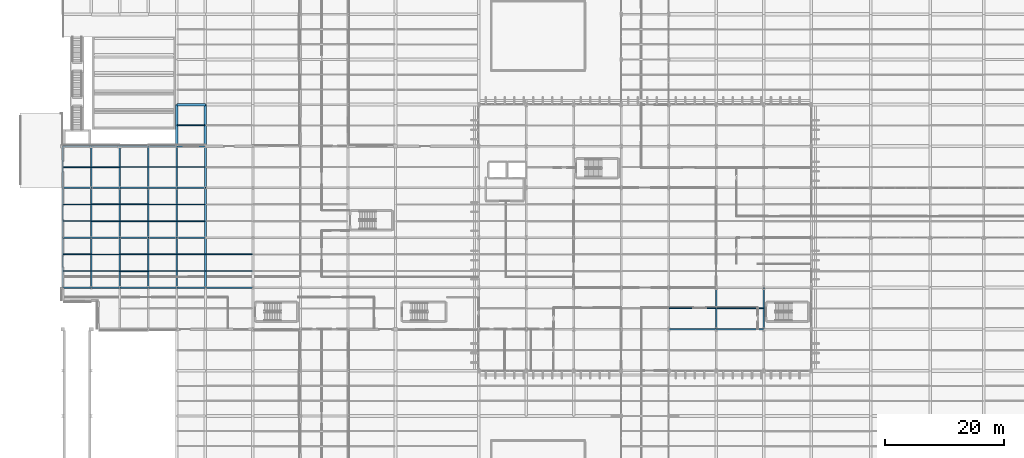
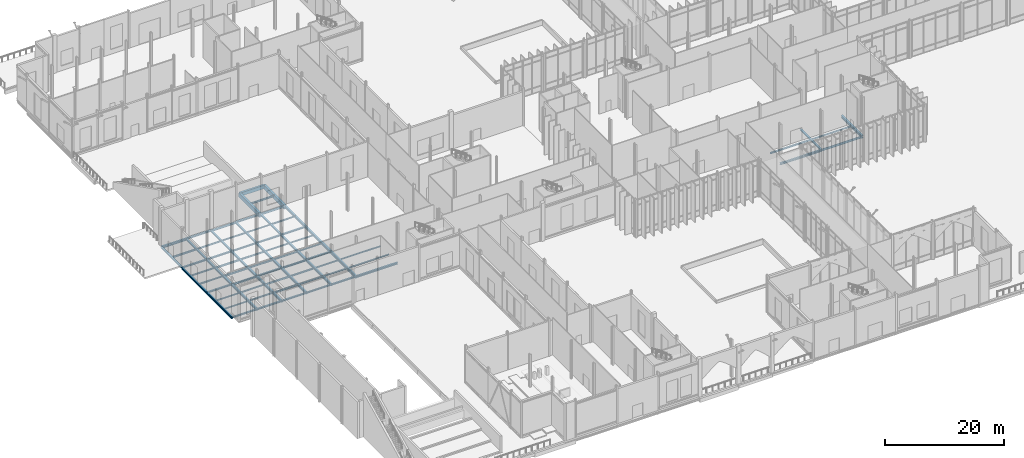
# One storey, part 54 of 176: 76 beams.
"""IFC4 building model written with IfcOpenShell, lengths in metres."""

import ifcopenshell
import ifcopenshell.guid

model = None  # the IFC model being written
_history = None  # IfcOwnerHistory: only IFC2X3 demands one
_inside = {}  # id of a spatial element -> (the spatial element, [elements in it])
_under = {}  # id of a project, library or spatial element -> (it, [spatial elements below it])
_declared = {}  # id of a project -> (the project, [libraries it declares])
_typed = {}  # id of a type object -> (the type object, [elements of that type])
_made_of = {}  # id of a material, layer set ... -> (it, [elements and type objects made of it])


def new_model(schema):
    """Start an empty IFC model of exactly this schema.

    Asked for "IFC4X3", IfcOpenShell would pick the latest addendum, in which some entities
    have other attributes; the version numbers below select the first issue.
    IFC2X3 requires an IfcOwnerHistory on every rooted entity: one is made here for all.
    """
    global model, _history
    if schema == "IFC4X3":
        model = ifcopenshell.file(schema_version=(4, 3, 0, 0))
    else:
        model = ifcopenshell.file(schema=schema)
    _inside.clear()
    _under.clear()
    _declared.clear()
    _typed.clear()
    _made_of.clear()
    _history = None
    if model.schema == "IFC2X3":
        org = make("IfcOrganization", Name="unknown")
        user = make(
            "IfcPersonAndOrganization",
            ThePerson=make("IfcPerson", FamilyName="unknown"),
            TheOrganization=org,
        )
        app = make(
            "IfcApplication",
            ApplicationDeveloper=org,
            Version="unknown",
            ApplicationFullName="unknown",
            ApplicationIdentifier="unknown",
        )
        _history = make(
            "IfcOwnerHistory",
            OwningUser=user,
            OwningApplication=app,
            ChangeAction="ADDED",
            CreationDate=0,
        )
    return model


def make(cls, **values):
    """One entity of the class cls with the attributes given. An attribute that is None is left unset."""
    return model.create_entity(
        cls, **{name: value for name, value in values.items() if value is not None}
    )


def rooted(cls, **values):
    """An entity with a GlobalId (a new one), such as an element, a storey or a relation."""
    return make(cls, GlobalId=ifcopenshell.guid.new(), OwnerHistory=_history, **values)


def si_unit(unit_type, name, prefix=None):
    """IfcSIUnit, for example si_unit("LENGTHUNIT", "METRE", prefix="MILLI")."""
    return make("IfcSIUnit", UnitType=unit_type, Prefix=prefix, Name=name)


def assignment(units):
    """IfcUnitAssignment: the units of a project."""
    return None if units is None else make("IfcUnitAssignment", Units=units)


def point(xyz):
    """IfcCartesianPoint."""
    return None if xyz is None else make("IfcCartesianPoint", Coordinates=xyz)


def direction(xyz):
    """IfcDirection."""
    return None if xyz is None else make("IfcDirection", DirectionRatios=xyz)


def frame(location, z_axis=None, x_axis=None):
    """IfcAxis2Placement3D, a coordinate frame: its origin and axes. An axis left out is left unset."""
    return make(
        "IfcAxis2Placement3D",
        Location=point(location),
        Axis=direction(z_axis),
        RefDirection=direction(x_axis),
    )


def frame_2d(location, x_axis=None):
    """IfcAxis2Placement2D, a coordinate frame in the plane: its origin and x axis."""
    return make(
        "IfcAxis2Placement2D", Location=point(location), RefDirection=direction(x_axis)
    )


def origin():
    """The frame at (0, 0, 0) with its axes left unset."""
    return frame((0.0, 0.0, 0.0))


def origin_2d():
    """The frame at (0, 0) in the plane with its x axis left unset."""
    return frame_2d((0.0, 0.0))


def place(relative_to, where):
    """IfcLocalPlacement: puts the frame where relative to a parent placement (None: the world)."""
    return make(
        "IfcLocalPlacement", PlacementRelTo=relative_to, RelativePlacement=where
    )


def context(
    kind, dimensions, precision=None, world=None, true_north=None, identifier=None
):
    """IfcGeometricRepresentationContext, for example the 3D "Model" context."""
    return make(
        "IfcGeometricRepresentationContext",
        ContextIdentifier=identifier,
        ContextType=kind,
        CoordinateSpaceDimension=dimensions,
        Precision=precision,
        WorldCoordinateSystem=world,
        TrueNorth=true_north,
    )


def subcontext(parent, identifier, kind, view, scale=None):
    """IfcGeometricRepresentationSubContext, for example "Body" below "Model"."""
    return make(
        "IfcGeometricRepresentationSubContext",
        ContextIdentifier=identifier,
        ContextType=kind,
        ParentContext=parent,
        TargetScale=scale,
        TargetView=view,
    )


def project(units=None, contexts=None):
    """IfcProject with its units and contexts."""
    return rooted(
        "IfcProject",
        Name="project",
        RepresentationContexts=contexts,
        UnitsInContext=assignment(units),
    )


def spatial(cls, under=None, at=None, **own):
    """A site, building, storey or space (cls), placed at a placement, below another one or the project."""
    s = rooted(cls, ObjectPlacement=at, **own)
    if under is not None:
        _under.setdefault(under.id(), (under, []))[1].append(s)
    return s


def profile(cls, at=None, kind="AREA", **sizes):
    """A parametric profile (cls). Its sizes go by their IFC names, for example OverallWidth=200.0."""
    return make(cls, ProfileType=kind, Position=at, **sizes)


def rectangle(**sizes):
    """IfcRectangleProfileDef."""
    return profile("IfcRectangleProfileDef", **sizes)


def i_section(**sizes):
    """IfcIShapeProfileDef."""
    return profile("IfcIShapeProfileDef", **sizes)


def extrude(swept, where, along, depth):
    """IfcExtrudedAreaSolid: the profile swept, set in the frame where, extruded along a direction by depth."""
    return make(
        "IfcExtrudedAreaSolid",
        SweptArea=swept,
        Position=where,
        ExtrudedDirection=direction(along),
        Depth=depth,
    )


def shape(context_of_items, identifier, shape_type, items):
    """IfcShapeRepresentation: the items that make up one representation, for example the "Body"."""
    return make(
        "IfcShapeRepresentation",
        ContextOfItems=context_of_items,
        RepresentationIdentifier=identifier,
        RepresentationType=shape_type,
        Items=items,
    )


def material(Name=None, Category=None):
    """IfcMaterial."""
    return make("IfcMaterial", Name=Name, Category=Category)


def material_profile(
    of_material, cross_section, Name=None, Category=None, Priority=None
):
    """IfcMaterialProfile: a cross section and its material."""
    return make(
        "IfcMaterialProfile",
        Name=Name,
        Material=of_material,
        Profile=cross_section,
        Priority=Priority,
        Category=Category,
    )


def profile_set(profiles, Name=None, composite=None):
    """IfcMaterialProfileSet."""
    return make(
        "IfcMaterialProfileSet",
        Name=Name,
        MaterialProfiles=profiles,
        CompositeProfile=composite,
    )


def made_of(thing, what):
    """Note that an element or type object is made of a material, layer set ...; save() writes the relation."""
    if what is not None:
        _made_of.setdefault(what.id(), (what, []))[1].append(thing)
    return thing


def type_object(cls, material=None, **own):
    """A type object (cls), such as IfcWallType, which elements share."""
    return made_of(rooted(cls, **own), material)


def element(
    cls,
    number,
    at=None,
    inside=None,
    cuts=None,
    type_object=None,
    material=None,
    context=None,
    identifier="Body",
    shape_type=None,
    held_by="IfcProductDefinitionShape",
    body=None,
    shapes=None,
    **own,
):
    """One element of the class cls, such as IfcWall. Its Tag is "e" and its number.

    at: its placement. inside: the storey or other place that contains it. cuts: it is an
    opening in that element (IfcRelVoidsElement). A single representation is given by context,
    identifier, shape_type and body (its items); several are given by shapes. held_by: the class
    of the entity that holds the representations. save() writes the other relations.
    """
    e = rooted(cls, Tag="e%d" % number, ObjectPlacement=at, **own)
    if body is not None:
        shapes = [shape(context, identifier, shape_type, body)]
    if shapes is not None:
        e.Representation = make(held_by, Representations=shapes)
    if inside is not None:
        _inside.setdefault(inside.id(), (inside, []))[1].append(e)
    if cuts is not None:
        rooted(
            "IfcRelVoidsElement", RelatingBuildingElement=cuts, RelatedOpeningElement=e
        )
    if type_object is not None:
        _typed.setdefault(type_object.id(), (type_object, []))[1].append(e)
    return made_of(e, material)


def aggregate(whole, parts):
    """IfcRelAggregates: a whole, such as a stair, and the parts it consists of."""
    return rooted("IfcRelAggregates", RelatingObject=whole, RelatedObjects=parts)


def save(model, path):
    """Write the relations noted so far, then the file.

    IfcRelAggregates (storeys below a building ...), IfcRelContainedInSpatialStructure (elements
    in a storey), IfcRelDefinesByType, IfcRelAssociatesMaterial and IfcRelDeclares: one each for
    every whole, place, type object, material and project.
    """
    for whole, parts in _under.values():
        aggregate(whole, parts)
    for where, things in _inside.values():
        rooted(
            "IfcRelContainedInSpatialStructure",
            RelatedElements=things,
            RelatingStructure=where,
        )
    for kind, things in _typed.values():
        rooted("IfcRelDefinesByType", RelatedObjects=things, RelatingType=kind)
    for what, things in _made_of.values():
        rooted("IfcRelAssociatesMaterial", RelatedObjects=things, RelatingMaterial=what)
    for by, libraries in _declared.values():
        rooted("IfcRelDeclares", RelatingContext=by, RelatedDefinitions=libraries)
    model.write(path)


model = new_model("IFC4")

# Units and contexts
model_context = context("Model", 3, precision=1e-05, world=origin(), true_north=direction((0.0, 1.0)))
body_context = subcontext(model_context, "Body", "Model", "MODEL_VIEW")
ifc_project = project(units=[si_unit("LENGTHUNIT", "METRE"), si_unit("AREAUNIT", "SQUARE_METRE"), si_unit("VOLUMEUNIT", "CUBIC_METRE"), si_unit("PLANEANGLEUNIT", "RADIAN"), si_unit("MASSUNIT", "GRAM", prefix="KILO")], contexts=[model_context])

# Site, building, storey
site_placement = place(None, origin())
site = spatial("IfcSite", under=ifc_project, at=site_placement, CompositionType="ELEMENT")
building_placement = place(site_placement, origin())
building = spatial("IfcBuilding", under=site, at=building_placement, Name="Vekula Escarpment Museum", CompositionType="ELEMENT")
storey_placement = place(building_placement, origin())
storey = spatial("IfcBuildingStorey", under=building, at=storey_placement, Name="L01", CompositionType="ELEMENT", Elevation=0.0)

# Beams
ifc_material_1 = material(Name="Steel S355", Category="steel")
ifc_material_profile_1 = material_profile(ifc_material_1, i_section(OverallWidth=0.280029296875, OverallDepth=0.280029296875, WebThickness=0.010498046875, FlangeThickness=0.01806640625, FilletRadius=0.02392578125, at=origin_2d()), Name="HEB 280")
ifc_profile_set_1 = profile_set([ifc_material_profile_1], Name="Steel S355")
beam_type_1 = type_object("IfcBeamType", Name="BM-GIRD-HEB280", PredefinedType="BEAM", material=ifc_profile_set_1)
beam_1_placement = place(storey_placement, frame((0.0, 68.0, -0.43994140625), z_axis=(1.0, 0.0, 0.0), x_axis=(0.0, 1.0, 0.0)))
element("IfcBeam", 1, at=beam_1_placement, inside=storey, type_object=beam_type_1, Name="Beam X L01 0182", PredefinedType="BEAM", context=body_context, shape_type="SweptSolid", body=[
    extrude(i_section(OverallWidth=0.280029296875, OverallDepth=0.280029296875, WebThickness=0.010498046875, FlangeThickness=0.01806640625, FilletRadius=0.02392578125, at=origin_2d()), origin(), (0.0, 0.0, 1.0), 4.800048828125),
])
ifc_material_2 = material(Name="Steel S355", Category="steel")
ifc_material_profile_2 = material_profile(ifc_material_2, i_section(OverallWidth=0.300048828125, OverallDepth=0.300048828125, WebThickness=0.010986328125, FlangeThickness=0.01904296875, FilletRadius=0.027099609375, at=origin_2d()), Name="HEB 300")
ifc_profile_set_2 = profile_set([ifc_material_profile_2], Name="Steel S355")
beam_type_2 = type_object("IfcBeamType", Name="BM-GIRD-HEB300", PredefinedType="BEAM", material=ifc_profile_set_2)
beam_2_placement = place(storey_placement, frame((9.60009765625, 68.0, -0.449951171875), z_axis=(1.0, 0.0, 0.0), x_axis=(0.0, 1.0, 0.0)))
element("IfcBeam", 2, at=beam_2_placement, inside=storey, type_object=beam_type_2, Name="Beam X L01 0184", PredefinedType="BEAM", context=body_context, shape_type="SweptSolid", body=[
    extrude(i_section(OverallWidth=0.300048828125, OverallDepth=0.300048828125, WebThickness=0.010986328125, FlangeThickness=0.01904296875, FilletRadius=0.027099609375, at=origin_2d()), origin(), (0.0, 0.0, 1.0), 4.7998046875),
])
for number, where, z_axis, x_axis, name in (
    (3, (19.199951171875, 68.0, -0.449951171875), (1.0, 0.0, 0.0), (0.0, 1.0, 0.0), "Beam X L01 0186"),
    (4, (4.800048828125, 83.39990234375, -0.449951171875), (1.0, 0.0, 0.0), (0.0, 1.0, 0.0), "Beam X L01 0229"),
    (5, (14.39990234375, 83.39990234375, -0.449951171875), (1.0, 0.0, 0.0), (0.0, 1.0, 0.0), "Beam X L01 0231"),
):
    element("IfcBeam", number, at=place(storey_placement, frame(where, z_axis=z_axis, x_axis=x_axis)), inside=storey, type_object=beam_type_2, Name=name, PredefinedType="BEAM", context=body_context, shape_type="SweptSolid", body=[
        extrude(i_section(OverallWidth=0.300048828125, OverallDepth=0.300048828125, WebThickness=0.010986328125, FlangeThickness=0.01904296875, FilletRadius=0.027099609375, at=origin_2d()), origin(), (0.0, 0.0, 1.0), 4.800048828125),
    ])
ifc_material_3 = material(Name="Steel S355", Category="steel")
ifc_material_profile_3 = material_profile(ifc_material_3, i_section(OverallWidth=0.300048828125, OverallDepth=0.39990234375, WebThickness=0.013427734375, FlangeThickness=0.02392578125, FilletRadius=0.027099609375, at=origin_2d()), Name="HEB 400")
ifc_profile_set_3 = profile_set([ifc_material_profile_3], Name="Steel S355")
beam_type_3 = type_object("IfcBeamType", Name="BM-GIRD-HEB400", PredefinedType="BEAM", material=ifc_profile_set_3)
beam_3_placement = place(storey_placement, frame((102.0, 52.60009765625, -0.5), z_axis=(1.0, 0.0, 0.0), x_axis=(0.0, 1.0, 0.0)))
element("IfcBeam", 6, at=beam_3_placement, inside=storey, type_object=beam_type_3, Name="Beam X L01 0150", PredefinedType="BEAM", context=body_context, shape_type="SweptSolid", body=[
    extrude(i_section(OverallWidth=0.300048828125, OverallDepth=0.39990234375, WebThickness=0.013427734375, FlangeThickness=0.02392578125, FilletRadius=0.027099609375, at=origin_2d()), origin(), (0.0, 0.0, 1.0), 8.0),
])
ifc_material_4 = material(Name="Steel S355", Category="steel")
ifc_material_profile_4 = material_profile(ifc_material_4, i_section(OverallWidth=0.300048828125, OverallDepth=0.449951171875, WebThickness=0.013916015625, FlangeThickness=0.02587890625, FilletRadius=0.027099609375, at=origin_2d()), Name="HEB 450")
ifc_profile_set_4 = profile_set([ifc_material_profile_4], Name="Steel S355")
beam_type_4 = type_object("IfcBeamType", Name="BM-GIRD-HEB450", PredefinedType="BEAM", material=ifc_profile_set_4)
beam_4_placement = place(storey_placement, frame((0.0, 83.39990234375, -0.52490234375), z_axis=(1.0, 0.0, 0.0), x_axis=(0.0, 1.0, 0.0)))
element("IfcBeam", 7, at=beam_4_placement, inside=storey, type_object=beam_type_4, Name="Beam X L01 0228", PredefinedType="BEAM", context=body_context, shape_type="SweptSolid", body=[
    extrude(i_section(OverallWidth=0.300048828125, OverallDepth=0.449951171875, WebThickness=0.013916015625, FlangeThickness=0.02587890625, FilletRadius=0.027099609375, at=origin_2d()), origin(), (0.0, 0.0, 1.0), 4.800048828125),
])
ifc_material_5 = material(Name="Steel S355", Category="steel")
ifc_material_profile_5 = material_profile(ifc_material_5, i_section(OverallWidth=0.300048828125, OverallDepth=0.550048828125, WebThickness=0.014892578125, FlangeThickness=0.029052734375, FilletRadius=0.027099609375, at=origin_2d()), Name="HEB 550")
ifc_profile_set_5 = profile_set([ifc_material_profile_5], Name="Steel S355")
beam_type_5 = type_object("IfcBeamType", Name="BM-GIRD-HEB550", PredefinedType="BEAM", material=ifc_profile_set_5)
for number, where, z_axis, x_axis, name in (
    (8, (24.0, 59.60009765625, -0.574951171875), (0.0, 1.0, 0.0), (-1.0, 0.0, 0.0), "Beam Y L01 0451"),
    (9, (24.0, 68.0, -0.574951171875), (0.0, 1.0, 0.0), (-1.0, 0.0, 0.0), "Beam Y L01 0452"),
):
    element("IfcBeam", number, at=place(storey_placement, frame(where, z_axis=z_axis, x_axis=x_axis)), inside=storey, type_object=beam_type_5, Name=name, PredefinedType="BEAM", context=body_context, shape_type="SweptSolid", body=[
        extrude(i_section(OverallWidth=0.300048828125, OverallDepth=0.550048828125, WebThickness=0.014892578125, FlangeThickness=0.029052734375, FilletRadius=0.027099609375, at=origin_2d()), origin(), (0.0, 0.0, 1.0), 8.39990234375),
    ])
for number, where, z_axis, x_axis, name in (
    (10, (24.0, 76.39990234375, -0.574951171875), (0.0, 1.0, 0.0), (-1.0, 0.0, 0.0), "Beam Y L01 0453"),
    (11, (118.0, 52.60009765625, -0.574951171875), (0.0, 1.0, 0.0), (-1.0, 0.0, 0.0), "Beam Y L01 0637"),
):
    element("IfcBeam", number, at=place(storey_placement, frame(where, z_axis=z_axis, x_axis=x_axis)), inside=storey, type_object=beam_type_5, Name=name, PredefinedType="BEAM", context=body_context, shape_type="SweptSolid", body=[
        extrude(i_section(OverallWidth=0.300048828125, OverallDepth=0.550048828125, WebThickness=0.014892578125, FlangeThickness=0.029052734375, FilletRadius=0.027099609375, at=origin_2d()), origin(), (0.0, 0.0, 1.0), 7.0),
    ])
ifc_material_6 = material(Name="Steel S355", Category="steel")
ifc_material_profile_6 = material_profile(ifc_material_6, i_section(OverallWidth=0.179931640625, OverallDepth=0.39990234375, WebThickness=0.008544921875, FlangeThickness=0.013427734375, FilletRadius=0.02099609375, at=origin_2d()), Name="IPE 400")
ifc_profile_set_6 = profile_set([ifc_material_profile_6], Name="Steel S355")
beam_type_6 = type_object("IfcBeamType", Name="BM-GIRD-IPE400", PredefinedType="BEAM", material=ifc_profile_set_6)
beam_5_placement = place(storey_placement, frame((110.0, 52.60009765625, -0.5), z_axis=(1.0, 0.0, 0.0), x_axis=(0.0, 1.0, 0.0)))
element("IfcBeam", 12, at=beam_5_placement, inside=storey, type_object=beam_type_6, Name="Beam X L01 0151", PredefinedType="BEAM", context=body_context, shape_type="SweptSolid", body=[
    extrude(i_section(OverallWidth=0.179931640625, OverallDepth=0.39990234375, WebThickness=0.008544921875, FlangeThickness=0.013427734375, FilletRadius=0.02099609375, at=origin_2d()), origin(), (0.0, 0.0, 1.0), 8.0),
])
for number, where, z_axis, x_axis, name in (
    (13, (4.800048828125, 68.0, -0.5), (1.0, 0.0, 0.0), (0.0, 1.0, 0.0), "Beam X L01 0183"),
    (14, (14.39990234375, 68.0, -0.5), (1.0, 0.0, 0.0), (0.0, 1.0, 0.0), "Beam X L01 0185"),
):
    element("IfcBeam", number, at=place(storey_placement, frame(where, z_axis=z_axis, x_axis=x_axis)), inside=storey, type_object=beam_type_6, Name=name, PredefinedType="BEAM", context=body_context, shape_type="SweptSolid", body=[
        extrude(i_section(OverallWidth=0.179931640625, OverallDepth=0.39990234375, WebThickness=0.008544921875, FlangeThickness=0.013427734375, FilletRadius=0.02099609375, at=origin_2d()), origin(), (0.0, 0.0, 1.0), 4.800048828125),
    ])
beam_6_placement = place(storey_placement, frame((9.60009765625, 83.39990234375, -0.5), z_axis=(1.0, 0.0, 0.0), x_axis=(0.0, 1.0, 0.0)))
element("IfcBeam", 15, at=beam_6_placement, inside=storey, type_object=beam_type_6, Name="Beam X L01 0230", PredefinedType="BEAM", context=body_context, shape_type="SweptSolid", body=[
    extrude(i_section(OverallWidth=0.179931640625, OverallDepth=0.39990234375, WebThickness=0.008544921875, FlangeThickness=0.013427734375, FilletRadius=0.02099609375, at=origin_2d()), origin(), (0.0, 0.0, 1.0), 4.7998046875),
])
beam_7_placement = place(storey_placement, frame((19.199951171875, 83.39990234375, -0.5), z_axis=(1.0, 0.0, 0.0), x_axis=(0.0, 1.0, 0.0)))
element("IfcBeam", 16, at=beam_7_placement, inside=storey, type_object=beam_type_6, Name="Beam X L01 0232", PredefinedType="BEAM", context=body_context, shape_type="SweptSolid", body=[
    extrude(i_section(OverallWidth=0.179931640625, OverallDepth=0.39990234375, WebThickness=0.008544921875, FlangeThickness=0.013427734375, FilletRadius=0.02099609375, at=origin_2d()), origin(), (0.0, 0.0, 1.0), 4.800048828125),
])
ifc_material_7 = material(Name="Steel S355", Category="steel")
ifc_material_profile_7 = material_profile(ifc_material_7, i_section(OverallWidth=0.1201171875, OverallDepth=0.239990234375, WebThickness=0.006103515625, FlangeThickness=0.009765625, FilletRadius=0.014892578125, at=origin_2d()), Name="IPE 240")
ifc_profile_set_7 = profile_set([ifc_material_profile_7], Name="Steel S355")
beam_type_7 = type_object("IfcBeamType", Name="BM-JST-IPE240", PredefinedType="JOIST", material=ifc_profile_set_7)
for number, where, z_axis, x_axis, name in (
    (17, (0.090087890625, 70.800048828125, -0.419921875), (1.0, 0.0, 0.0), (0.0, 1.0, 0.0), "Secondary Joist L01 0003"),
    (18, (0.090087890625, 73.60009765625, -0.419921875), (1.0, 0.0, 0.0), (0.0, 1.0, 0.0), "Secondary Joist L01 0004"),
):
    element("IfcBeam", number, at=place(storey_placement, frame(where, z_axis=z_axis, x_axis=x_axis)), inside=storey, type_object=beam_type_7, Name=name, PredefinedType="JOIST", context=body_context, shape_type="SweptSolid", body=[
        extrude(i_section(OverallWidth=0.1201171875, OverallDepth=0.239990234375, WebThickness=0.006103515625, FlangeThickness=0.009765625, FilletRadius=0.014892578125, at=origin_2d()), origin(), (0.0, 0.0, 1.0), 4.619873046875),
    ])
for number, where, z_axis, x_axis, name in (
    (19, (4.889892578125, 62.39990234375, -0.419921875), (1.0, 0.0, 0.0), (0.0, 1.0, 0.0), "Secondary Joist L01 0012"),
    (20, (4.889892578125, 65.199951171875, -0.419921875), (1.0, 0.0, 0.0), (0.0, 1.0, 0.0), "Secondary Joist L01 0013"),
):
    element("IfcBeam", number, at=place(storey_placement, frame(where, z_axis=z_axis, x_axis=x_axis)), inside=storey, type_object=beam_type_7, Name=name, PredefinedType="JOIST", context=body_context, shape_type="SweptSolid", body=[
        extrude(i_section(OverallWidth=0.1201171875, OverallDepth=0.239990234375, WebThickness=0.006103515625, FlangeThickness=0.009765625, FilletRadius=0.014892578125, at=origin_2d()), origin(), (0.0, 0.0, 1.0), 4.6201171875),
    ])
beam_8_placement = place(storey_placement, frame((19.2900390625, 79.89990234375, -0.419921875), z_axis=(1.0, 0.0, 0.0), x_axis=(0.0, 1.0, 0.0)))
element("IfcBeam", 21, at=beam_8_placement, inside=storey, type_object=beam_type_7, Name="Secondary Joist L01 0069", PredefinedType="JOIST", context=body_context, shape_type="SweptSolid", body=[
    extrude(i_section(OverallWidth=0.1201171875, OverallDepth=0.239990234375, WebThickness=0.006103515625, FlangeThickness=0.009765625, FilletRadius=0.014892578125, at=origin_2d()), origin(), (0.0, 0.0, 1.0), 4.619873046875),
])
ifc_material_8 = material(Name="Steel S355", Category="steel")
ifc_material_profile_8 = material_profile(ifc_material_8, i_section(OverallWidth=0.135009765625, OverallDepth=0.27001953125, WebThickness=0.006591796875, FlangeThickness=0.01025390625, FilletRadius=0.014892578125, at=origin_2d()), Name="IPE 270")
ifc_profile_set_8 = profile_set([ifc_material_profile_8], Name="Steel S355")
beam_type_8 = type_object("IfcBeamType", Name="BM-JST-IPE270", PredefinedType="JOIST", material=ifc_profile_set_8)
for number, where, z_axis, x_axis, name in (
    (22, (0.090087890625, 62.39990234375, -0.43505859375), (1.0, 0.0, 0.0), (0.0, 1.0, 0.0), "Secondary Joist L01 0001"),
    (23, (0.090087890625, 65.199951171875, -0.43505859375), (1.0, 0.0, 0.0), (0.0, 1.0, 0.0), "Secondary Joist L01 0002"),
):
    element("IfcBeam", number, at=place(storey_placement, frame(where, z_axis=z_axis, x_axis=x_axis)), inside=storey, type_object=beam_type_8, Name=name, PredefinedType="JOIST", context=body_context, shape_type="SweptSolid", body=[
        extrude(i_section(OverallWidth=0.135009765625, OverallDepth=0.27001953125, WebThickness=0.006591796875, FlangeThickness=0.01025390625, FilletRadius=0.014892578125, at=origin_2d()), origin(), (0.0, 0.0, 1.0), 4.619873046875),
    ])
beam_9_placement = place(storey_placement, frame((14.489990234375, 79.89990234375, -0.43505859375), z_axis=(1.0, 0.0, 0.0), x_axis=(0.0, 1.0, 0.0)))
element("IfcBeam", 24, at=beam_9_placement, inside=storey, type_object=beam_type_8, Name="Secondary Joist L01 0042", PredefinedType="JOIST", context=body_context, shape_type="SweptSolid", body=[
    extrude(i_section(OverallWidth=0.135009765625, OverallDepth=0.27001953125, WebThickness=0.006591796875, FlangeThickness=0.01025390625, FilletRadius=0.014892578125, at=origin_2d()), origin(), (0.0, 0.0, 1.0), 4.6201171875),
])
for number, where, z_axis, x_axis, name in (
    (25, (19.2900390625, 70.800048828125, -0.43505859375), (1.0, 0.0, 0.0), (0.0, 1.0, 0.0), "Secondary Joist L01 0067"),
    (26, (19.2900390625, 73.60009765625, -0.43505859375), (1.0, 0.0, 0.0), (0.0, 1.0, 0.0), "Secondary Joist L01 0068"),
):
    element("IfcBeam", number, at=place(storey_placement, frame(where, z_axis=z_axis, x_axis=x_axis)), inside=storey, type_object=beam_type_8, Name=name, PredefinedType="JOIST", context=body_context, shape_type="SweptSolid", body=[
        extrude(i_section(OverallWidth=0.135009765625, OverallDepth=0.27001953125, WebThickness=0.006591796875, FlangeThickness=0.01025390625, FilletRadius=0.014892578125, at=origin_2d()), origin(), (0.0, 0.0, 1.0), 4.619873046875),
    ])
for number, where, z_axis, x_axis, name in (
    (27, (24.090087890625, 62.39990234375, -0.43505859375), (1.0, 0.0, 0.0), (0.0, 1.0, 0.0), "Secondary Joist L01 0096"),
    (28, (24.090087890625, 65.199951171875, -0.43505859375), (1.0, 0.0, 0.0), (0.0, 1.0, 0.0), "Secondary Joist L01 0097"),
):
    element("IfcBeam", number, at=place(storey_placement, frame(where, z_axis=z_axis, x_axis=x_axis)), inside=storey, type_object=beam_type_8, Name=name, PredefinedType="JOIST", context=body_context, shape_type="SweptSolid", body=[
        extrude(i_section(OverallWidth=0.135009765625, OverallDepth=0.27001953125, WebThickness=0.006591796875, FlangeThickness=0.01025390625, FilletRadius=0.014892578125, at=origin_2d()), origin(), (0.0, 0.0, 1.0), 7.81982421875),
    ])
ifc_material_9 = material(Name="Steel S355", Category="steel")
ifc_material_profile_9 = material_profile(ifc_material_9, i_section(OverallWidth=0.14990234375, OverallDepth=0.300048828125, WebThickness=0.007080078125, FlangeThickness=0.0107421875, FilletRadius=0.014892578125, at=origin_2d()), Name="IPE 300")
ifc_profile_set_9 = profile_set([ifc_material_profile_9], Name="Steel S355")
beam_type_9 = type_object("IfcBeamType", Name="BM-JST-IPE300", PredefinedType="JOIST", material=ifc_profile_set_9)
for number, where, z_axis, x_axis, name in (
    (29, (9.68994140625, 79.89990234375, -0.449951171875), (1.0, 0.0, 0.0), (0.0, 1.0, 0.0), "Secondary Joist L01 0028"),
    (30, (14.489990234375, 70.800048828125, -0.449951171875), (1.0, 0.0, 0.0), (0.0, 1.0, 0.0), "Secondary Joist L01 0040"),
    (31, (14.489990234375, 73.60009765625, -0.449951171875), (1.0, 0.0, 0.0), (0.0, 1.0, 0.0), "Secondary Joist L01 0041"),
):
    element("IfcBeam", number, at=place(storey_placement, frame(where, z_axis=z_axis, x_axis=x_axis)), inside=storey, type_object=beam_type_9, Name=name, PredefinedType="JOIST", context=body_context, shape_type="SweptSolid", body=[
        extrude(i_section(OverallWidth=0.14990234375, OverallDepth=0.300048828125, WebThickness=0.007080078125, FlangeThickness=0.0107421875, FilletRadius=0.014892578125, at=origin_2d()), origin(), (0.0, 0.0, 1.0), 4.6201171875),
    ])
for number, where, z_axis, x_axis, name in (
    (32, (19.2900390625, 62.39990234375, -0.449951171875), (1.0, 0.0, 0.0), (0.0, 1.0, 0.0), "Secondary Joist L01 0065"),
    (33, (19.2900390625, 65.199951171875, -0.449951171875), (1.0, 0.0, 0.0), (0.0, 1.0, 0.0), "Secondary Joist L01 0066"),
):
    element("IfcBeam", number, at=place(storey_placement, frame(where, z_axis=z_axis, x_axis=x_axis)), inside=storey, type_object=beam_type_9, Name=name, PredefinedType="JOIST", context=body_context, shape_type="SweptSolid", body=[
        extrude(i_section(OverallWidth=0.14990234375, OverallDepth=0.300048828125, WebThickness=0.007080078125, FlangeThickness=0.0107421875, FilletRadius=0.014892578125, at=origin_2d()), origin(), (0.0, 0.0, 1.0), 4.619873046875),
    ])
beam_10_placement = place(storey_placement, frame((110.090087890625, 56.10009765625, -0.449951171875), z_axis=(1.0, 0.0, 0.0), x_axis=(0.0, 1.0, 0.0)))
element("IfcBeam", 34, at=beam_10_placement, inside=storey, type_object=beam_type_9, Name="Secondary Joist L01 0364", PredefinedType="JOIST", context=body_context, shape_type="SweptSolid", body=[
    extrude(i_section(OverallWidth=0.14990234375, OverallDepth=0.300048828125, WebThickness=0.007080078125, FlangeThickness=0.0107421875, FilletRadius=0.014892578125, at=origin_2d()), origin(), (0.0, 0.0, 1.0), 7.81982421875),
])
ifc_material_10 = material(Name="Steel S355", Category="steel")
ifc_material_profile_10 = material_profile(ifc_material_10, i_section(OverallWidth=0.159912109375, OverallDepth=0.330078125, WebThickness=0.007568359375, FlangeThickness=0.011474609375, FilletRadius=0.01806640625, at=origin_2d()), Name="IPE 330")
ifc_profile_set_10 = profile_set([ifc_material_profile_10], Name="Steel S355")
beam_type_10 = type_object("IfcBeamType", Name="BM-JST-IPE330", PredefinedType="JOIST", material=ifc_profile_set_10)
for number, where, z_axis, x_axis, name in (
    (35, (4.889892578125, 79.89990234375, -0.465087890625), (1.0, 0.0, 0.0), (0.0, 1.0, 0.0), "Secondary Joist L01 0016"),
    (36, (9.68994140625, 70.800048828125, -0.465087890625), (1.0, 0.0, 0.0), (0.0, 1.0, 0.0), "Secondary Joist L01 0026"),
    (37, (9.68994140625, 73.60009765625, -0.465087890625), (1.0, 0.0, 0.0), (0.0, 1.0, 0.0), "Secondary Joist L01 0027"),
    (38, (14.489990234375, 62.39990234375, -0.465087890625), (1.0, 0.0, 0.0), (0.0, 1.0, 0.0), "Secondary Joist L01 0038"),
    (39, (14.489990234375, 65.199951171875, -0.465087890625), (1.0, 0.0, 0.0), (0.0, 1.0, 0.0), "Secondary Joist L01 0039"),
):
    element("IfcBeam", number, at=place(storey_placement, frame(where, z_axis=z_axis, x_axis=x_axis)), inside=storey, type_object=beam_type_10, Name=name, PredefinedType="JOIST", context=body_context, shape_type="SweptSolid", body=[
        extrude(i_section(OverallWidth=0.159912109375, OverallDepth=0.330078125, WebThickness=0.007568359375, FlangeThickness=0.011474609375, FilletRadius=0.01806640625, at=origin_2d()), origin(), (0.0, 0.0, 1.0), 4.6201171875),
    ])
beam_11_placement = place(storey_placement, frame((102.090087890625, 56.10009765625, -0.465087890625), z_axis=(1.0, 0.0, 0.0), x_axis=(0.0, 1.0, 0.0)))
element("IfcBeam", 40, at=beam_11_placement, inside=storey, type_object=beam_type_10, Name="Secondary Joist L01 0333", PredefinedType="JOIST", context=body_context, shape_type="SweptSolid", body=[
    extrude(i_section(OverallWidth=0.159912109375, OverallDepth=0.330078125, WebThickness=0.007568359375, FlangeThickness=0.011474609375, FilletRadius=0.01806640625, at=origin_2d()), origin(), (0.0, 0.0, 1.0), 7.81982421875),
])
ifc_material_11 = material(Name="Steel S355", Category="steel")
ifc_material_profile_11 = material_profile(ifc_material_11, i_section(OverallWidth=0.169921875, OverallDepth=0.360107421875, WebThickness=0.008056640625, FlangeThickness=0.0126953125, FilletRadius=0.01806640625, at=origin_2d()), Name="IPE 360")
ifc_profile_set_11 = profile_set([ifc_material_profile_11], Name="Steel S355")
beam_type_11 = type_object("IfcBeamType", Name="BM-JST-IPE360", PredefinedType="JOIST", material=ifc_profile_set_11)
beam_12_placement = place(storey_placement, frame((0.090087890625, 79.89990234375, -0.47998046875), z_axis=(1.0, 0.0, 0.0), x_axis=(0.0, 1.0, 0.0)))
element("IfcBeam", 41, at=beam_12_placement, inside=storey, type_object=beam_type_11, Name="Secondary Joist L01 0005", PredefinedType="JOIST", context=body_context, shape_type="SweptSolid", body=[
    extrude(i_section(OverallWidth=0.169921875, OverallDepth=0.360107421875, WebThickness=0.008056640625, FlangeThickness=0.0126953125, FilletRadius=0.01806640625, at=origin_2d()), origin(), (0.0, 0.0, 1.0), 4.619873046875),
])
for number, where, z_axis, x_axis, name in (
    (42, (4.889892578125, 70.800048828125, -0.47998046875), (1.0, 0.0, 0.0), (0.0, 1.0, 0.0), "Secondary Joist L01 0014"),
    (43, (4.889892578125, 73.60009765625, -0.47998046875), (1.0, 0.0, 0.0), (0.0, 1.0, 0.0), "Secondary Joist L01 0015"),
    (44, (9.68994140625, 62.39990234375, -0.47998046875), (1.0, 0.0, 0.0), (0.0, 1.0, 0.0), "Secondary Joist L01 0024"),
    (45, (9.68994140625, 65.199951171875, -0.47998046875), (1.0, 0.0, 0.0), (0.0, 1.0, 0.0), "Secondary Joist L01 0025"),
):
    element("IfcBeam", number, at=place(storey_placement, frame(where, z_axis=z_axis, x_axis=x_axis)), inside=storey, type_object=beam_type_11, Name=name, PredefinedType="JOIST", context=body_context, shape_type="SweptSolid", body=[
        extrude(i_section(OverallWidth=0.169921875, OverallDepth=0.360107421875, WebThickness=0.008056640625, FlangeThickness=0.0126953125, FilletRadius=0.01806640625, at=origin_2d()), origin(), (0.0, 0.0, 1.0), 4.6201171875),
    ])
beam_13_placement = place(storey_placement, frame((19.2900390625, 86.89990234375, -0.47998046875), z_axis=(1.0, 0.0, 0.0), x_axis=(0.0, 1.0, 0.0)))
element("IfcBeam", 46, at=beam_13_placement, inside=storey, type_object=beam_type_11, Name="Secondary Joist L01 0070", PredefinedType="JOIST", context=body_context, shape_type="SweptSolid", body=[
    extrude(i_section(OverallWidth=0.169921875, OverallDepth=0.360107421875, WebThickness=0.008056640625, FlangeThickness=0.0126953125, FilletRadius=0.01806640625, at=origin_2d()), origin(), (0.0, 0.0, 1.0), 4.619873046875),
])
ifc_material_12 = material(Name="Concrete C35/45", Category="concrete")
ifc_material_profile_12 = material_profile(ifc_material_12, rectangle(XDim=0.449951171875, YDim=0.800048828125, at=origin_2d()), Name="RC 450x800")
ifc_profile_set_12 = profile_set([ifc_material_profile_12], Name="Concrete C35/45")
beam_type_12 = type_object("IfcBeamType", Name="BM-PLINTH-RC", PredefinedType="BEAM", material=ifc_profile_set_12)
for number, where, z_axis, x_axis, name in (
    (47, (19.199951171875, 83.39990234375, -0.699951171875), (0.0, 1.0, 0.0), (-1.0, 0.0, 0.0), "Beam Y L01 0436"),
    (48, (24.0, 83.39990234375, -0.699951171875), (0.0, 1.0, 0.0), (-1.0, 0.0, 0.0), "Beam Y L01 0454"),
):
    element("IfcBeam", number, at=place(storey_placement, frame(where, z_axis=z_axis, x_axis=x_axis)), inside=storey, type_object=beam_type_12, Name=name, PredefinedType="BEAM", context=body_context, shape_type="SweptSolid", body=[
        extrude(rectangle(XDim=0.449951171875, YDim=0.800048828125, at=origin_2d()), origin(), (0.0, 0.0, 1.0), 7.0),
    ])
ifc_material_13 = material(Name="Concrete C35/45", Category="concrete")
ifc_material_profile_13 = material_profile(ifc_material_13, rectangle(XDim=0.39990234375, YDim=0.699951171875, at=origin_2d()), Name="RC 400x700")
ifc_profile_set_13 = profile_set([ifc_material_profile_13], Name="Concrete C35/45")
beam_type_13 = type_object("IfcBeamType", Name="BM-PLINTH-RC2", PredefinedType="BEAM", material=ifc_profile_set_13)
beam_14_placement = place(storey_placement, frame((19.199951171875, 90.39990234375, -0.64990234375), z_axis=(1.0, 0.0, 0.0), x_axis=(0.0, 1.0, 0.0)))
element("IfcBeam", 49, at=beam_14_placement, inside=storey, type_object=beam_type_13, Name="Beam X L01 0251", PredefinedType="BEAM", context=body_context, shape_type="SweptSolid", body=[
    extrude(rectangle(XDim=0.39990234375, YDim=0.699951171875, at=origin_2d()), origin(), (0.0, 0.0, 1.0), 4.800048828125),
])
ifc_material_14 = material(Name="Steel S355", Category="steel")
ifc_material_profile_14 = material_profile(ifc_material_14, i_section(OverallWidth=0.280029296875, OverallDepth=0.27001953125, WebThickness=0.008056640625, FlangeThickness=0.012939453125, FilletRadius=0.02392578125, at=origin_2d()), Name="HEA 280")
ifc_profile_set_14 = profile_set([ifc_material_profile_14], Name="Steel S355")
beam_type_14 = type_object("IfcBeamType", Name="BM-SPAN-HEA280", PredefinedType="SPANDREL", material=ifc_profile_set_14)
for number, where, z_axis, x_axis, name in (
    (50, (0.0, 59.60009765625, -0.43505859375), (1.0, 0.0, 0.0), (0.0, 1.0, 0.0), "Beam X L01 0159"),
    (51, (4.800048828125, 59.60009765625, -0.43505859375), (1.0, 0.0, 0.0), (0.0, 1.0, 0.0), "Beam X L01 0160"),
):
    element("IfcBeam", number, at=place(storey_placement, frame(where, z_axis=z_axis, x_axis=x_axis)), inside=storey, type_object=beam_type_14, Name=name, PredefinedType="SPANDREL", context=body_context, shape_type="SweptSolid", body=[
        extrude(i_section(OverallWidth=0.280029296875, OverallDepth=0.27001953125, WebThickness=0.008056640625, FlangeThickness=0.012939453125, FilletRadius=0.02392578125, at=origin_2d()), origin(), (0.0, 0.0, 1.0), 4.800048828125),
    ])
beam_15_placement = place(storey_placement, frame((9.60009765625, 59.60009765625, -0.43505859375), z_axis=(1.0, 0.0, 0.0), x_axis=(0.0, 1.0, 0.0)))
element("IfcBeam", 52, at=beam_15_placement, inside=storey, type_object=beam_type_14, Name="Beam X L01 0161", PredefinedType="SPANDREL", context=body_context, shape_type="SweptSolid", body=[
    extrude(i_section(OverallWidth=0.280029296875, OverallDepth=0.27001953125, WebThickness=0.008056640625, FlangeThickness=0.012939453125, FilletRadius=0.02392578125, at=origin_2d()), origin(), (0.0, 0.0, 1.0), 4.7998046875),
])
for number, where, z_axis, x_axis, name in (
    (53, (14.39990234375, 59.60009765625, -0.43505859375), (1.0, 0.0, 0.0), (0.0, 1.0, 0.0), "Beam X L01 0162"),
    (54, (19.199951171875, 59.60009765625, -0.43505859375), (1.0, 0.0, 0.0), (0.0, 1.0, 0.0), "Beam X L01 0163"),
    (55, (0.0, 76.39990234375, -0.43505859375), (1.0, 0.0, 0.0), (0.0, 1.0, 0.0), "Beam X L01 0205"),
    (56, (4.800048828125, 76.39990234375, -0.43505859375), (1.0, 0.0, 0.0), (0.0, 1.0, 0.0), "Beam X L01 0206"),
):
    element("IfcBeam", number, at=place(storey_placement, frame(where, z_axis=z_axis, x_axis=x_axis)), inside=storey, type_object=beam_type_14, Name=name, PredefinedType="SPANDREL", context=body_context, shape_type="SweptSolid", body=[
        extrude(i_section(OverallWidth=0.280029296875, OverallDepth=0.27001953125, WebThickness=0.008056640625, FlangeThickness=0.012939453125, FilletRadius=0.02392578125, at=origin_2d()), origin(), (0.0, 0.0, 1.0), 4.800048828125),
    ])
beam_16_placement = place(storey_placement, frame((9.60009765625, 76.39990234375, -0.43505859375), z_axis=(1.0, 0.0, 0.0), x_axis=(0.0, 1.0, 0.0)))
element("IfcBeam", 57, at=beam_16_placement, inside=storey, type_object=beam_type_14, Name="Beam X L01 0207", PredefinedType="SPANDREL", context=body_context, shape_type="SweptSolid", body=[
    extrude(i_section(OverallWidth=0.280029296875, OverallDepth=0.27001953125, WebThickness=0.008056640625, FlangeThickness=0.012939453125, FilletRadius=0.02392578125, at=origin_2d()), origin(), (0.0, 0.0, 1.0), 4.7998046875),
])
for number, where, z_axis, x_axis, name in (
    (58, (14.39990234375, 76.39990234375, -0.43505859375), (1.0, 0.0, 0.0), (0.0, 1.0, 0.0), "Beam X L01 0208"),
    (59, (19.199951171875, 76.39990234375, -0.43505859375), (1.0, 0.0, 0.0), (0.0, 1.0, 0.0), "Beam X L01 0209"),
):
    element("IfcBeam", number, at=place(storey_placement, frame(where, z_axis=z_axis, x_axis=x_axis)), inside=storey, type_object=beam_type_14, Name=name, PredefinedType="SPANDREL", context=body_context, shape_type="SweptSolid", body=[
        extrude(i_section(OverallWidth=0.280029296875, OverallDepth=0.27001953125, WebThickness=0.008056640625, FlangeThickness=0.012939453125, FilletRadius=0.02392578125, at=origin_2d()), origin(), (0.0, 0.0, 1.0), 4.800048828125),
    ])
ifc_material_15 = material(Name="Steel S355", Category="steel")
ifc_material_profile_15 = material_profile(ifc_material_15, i_section(OverallWidth=0.300048828125, OverallDepth=0.2900390625, WebThickness=0.008544921875, FlangeThickness=0.013916015625, FilletRadius=0.027099609375, at=origin_2d()), Name="HEA 300")
ifc_profile_set_15 = profile_set([ifc_material_profile_15], Name="Steel S355")
beam_type_15 = type_object("IfcBeamType", Name="BM-SPAN-HEA300", PredefinedType="SPANDREL", material=ifc_profile_set_15)
for number, where, z_axis, x_axis, name in (
    (60, (0.0, 76.39990234375, -0.445068359375), (0.0, 1.0, 0.0), (-1.0, 0.0, 0.0), "Beam Y L01 0399"),
    (61, (4.800048828125, 76.39990234375, -0.445068359375), (0.0, 1.0, 0.0), (-1.0, 0.0, 0.0), "Beam Y L01 0405"),
    (62, (9.60009765625, 76.39990234375, -0.445068359375), (0.0, 1.0, 0.0), (-1.0, 0.0, 0.0), "Beam Y L01 0412"),
    (63, (14.39990234375, 76.39990234375, -0.445068359375), (0.0, 1.0, 0.0), (-1.0, 0.0, 0.0), "Beam Y L01 0420"),
    (64, (19.199951171875, 76.39990234375, -0.445068359375), (0.0, 1.0, 0.0), (-1.0, 0.0, 0.0), "Beam Y L01 0435"),
    (65, (110.0, 52.60009765625, -0.445068359375), (0.0, 1.0, 0.0), (-1.0, 0.0, 0.0), "Beam Y L01 0619"),
):
    element("IfcBeam", number, at=place(storey_placement, frame(where, z_axis=z_axis, x_axis=x_axis)), inside=storey, type_object=beam_type_15, Name=name, PredefinedType="SPANDREL", context=body_context, shape_type="SweptSolid", body=[
        extrude(i_section(OverallWidth=0.300048828125, OverallDepth=0.2900390625, WebThickness=0.008544921875, FlangeThickness=0.013916015625, FilletRadius=0.027099609375, at=origin_2d()), origin(), (0.0, 0.0, 1.0), 7.0),
    ])
ifc_material_16 = material(Name="Steel S355", Category="steel")
ifc_material_profile_16 = material_profile(ifc_material_16, i_section(OverallWidth=0.300048828125, OverallDepth=0.389892578125, WebThickness=0.010986328125, FlangeThickness=0.01904296875, FilletRadius=0.027099609375, at=origin_2d()), Name="HEA 400")
ifc_profile_set_16 = profile_set([ifc_material_profile_16], Name="Steel S355")
beam_type_16 = type_object("IfcBeamType", Name="BM-SPAN-HEA400", PredefinedType="SPANDREL", material=ifc_profile_set_16)
beam_17_placement = place(storey_placement, frame((24.0, 59.60009765625, -0.4951171875), z_axis=(1.0, 0.0, 0.0), x_axis=(0.0, 1.0, 0.0)))
element("IfcBeam", 66, at=beam_17_placement, inside=storey, type_object=beam_type_16, Name="Beam X L01 0164", PredefinedType="SPANDREL", context=body_context, shape_type="SweptSolid", body=[
    extrude(i_section(OverallWidth=0.300048828125, OverallDepth=0.389892578125, WebThickness=0.010986328125, FlangeThickness=0.01904296875, FilletRadius=0.027099609375, at=origin_2d()), origin(), (0.0, 0.0, 1.0), 8.0),
])
ifc_material_17 = material(Name="Steel S355", Category="steel")
ifc_material_profile_17 = material_profile(ifc_material_17, i_section(OverallWidth=0.300048828125, OverallDepth=0.43994140625, WebThickness=0.011474609375, FlangeThickness=0.02099609375, FilletRadius=0.027099609375, at=origin_2d()), Name="HEA 450")
ifc_profile_set_17 = profile_set([ifc_material_profile_17], Name="Steel S355")
beam_type_17 = type_object("IfcBeamType", Name="BM-SPAN-HEA450", PredefinedType="SPANDREL", material=ifc_profile_set_17)
for number, where, z_axis, x_axis, name in (
    (67, (0.0, 59.60009765625, -0.52001953125), (0.0, 1.0, 0.0), (-1.0, 0.0, 0.0), "Beam Y L01 0397"),
    (68, (0.0, 68.0, -0.52001953125), (0.0, 1.0, 0.0), (-1.0, 0.0, 0.0), "Beam Y L01 0398"),
    (69, (4.800048828125, 59.60009765625, -0.52001953125), (0.0, 1.0, 0.0), (-1.0, 0.0, 0.0), "Beam Y L01 0403"),
    (70, (4.800048828125, 68.0, -0.52001953125), (0.0, 1.0, 0.0), (-1.0, 0.0, 0.0), "Beam Y L01 0404"),
    (71, (9.60009765625, 59.60009765625, -0.52001953125), (0.0, 1.0, 0.0), (-1.0, 0.0, 0.0), "Beam Y L01 0410"),
    (72, (9.60009765625, 68.0, -0.52001953125), (0.0, 1.0, 0.0), (-1.0, 0.0, 0.0), "Beam Y L01 0411"),
    (73, (14.39990234375, 59.60009765625, -0.52001953125), (0.0, 1.0, 0.0), (-1.0, 0.0, 0.0), "Beam Y L01 0418"),
    (74, (14.39990234375, 68.0, -0.52001953125), (0.0, 1.0, 0.0), (-1.0, 0.0, 0.0), "Beam Y L01 0419"),
    (75, (19.199951171875, 59.60009765625, -0.52001953125), (0.0, 1.0, 0.0), (-1.0, 0.0, 0.0), "Beam Y L01 0433"),
    (76, (19.199951171875, 68.0, -0.52001953125), (0.0, 1.0, 0.0), (-1.0, 0.0, 0.0), "Beam Y L01 0434"),
):
    element("IfcBeam", number, at=place(storey_placement, frame(where, z_axis=z_axis, x_axis=x_axis)), inside=storey, type_object=beam_type_17, Name=name, PredefinedType="SPANDREL", context=body_context, shape_type="SweptSolid", body=[
        extrude(i_section(OverallWidth=0.300048828125, OverallDepth=0.43994140625, WebThickness=0.011474609375, FlangeThickness=0.02099609375, FilletRadius=0.027099609375, at=origin_2d()), origin(), (0.0, 0.0, 1.0), 8.39990234375),
    ])

save(model, "model.ifc")
